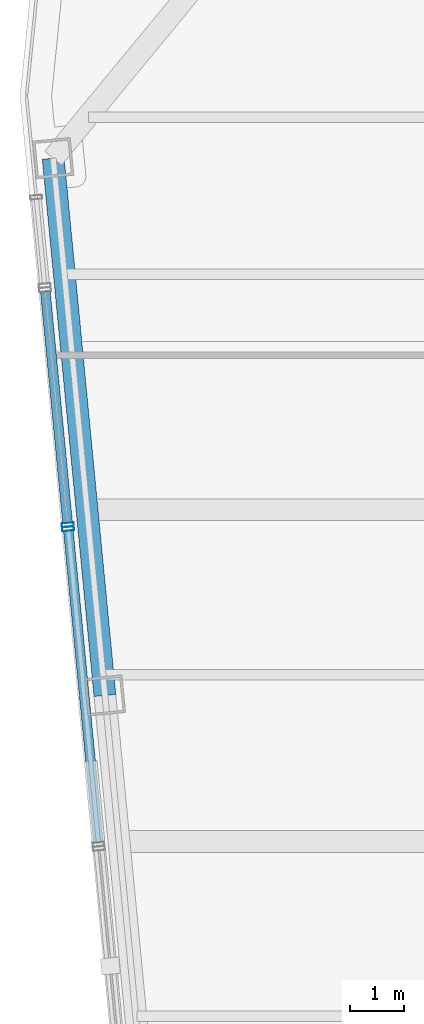
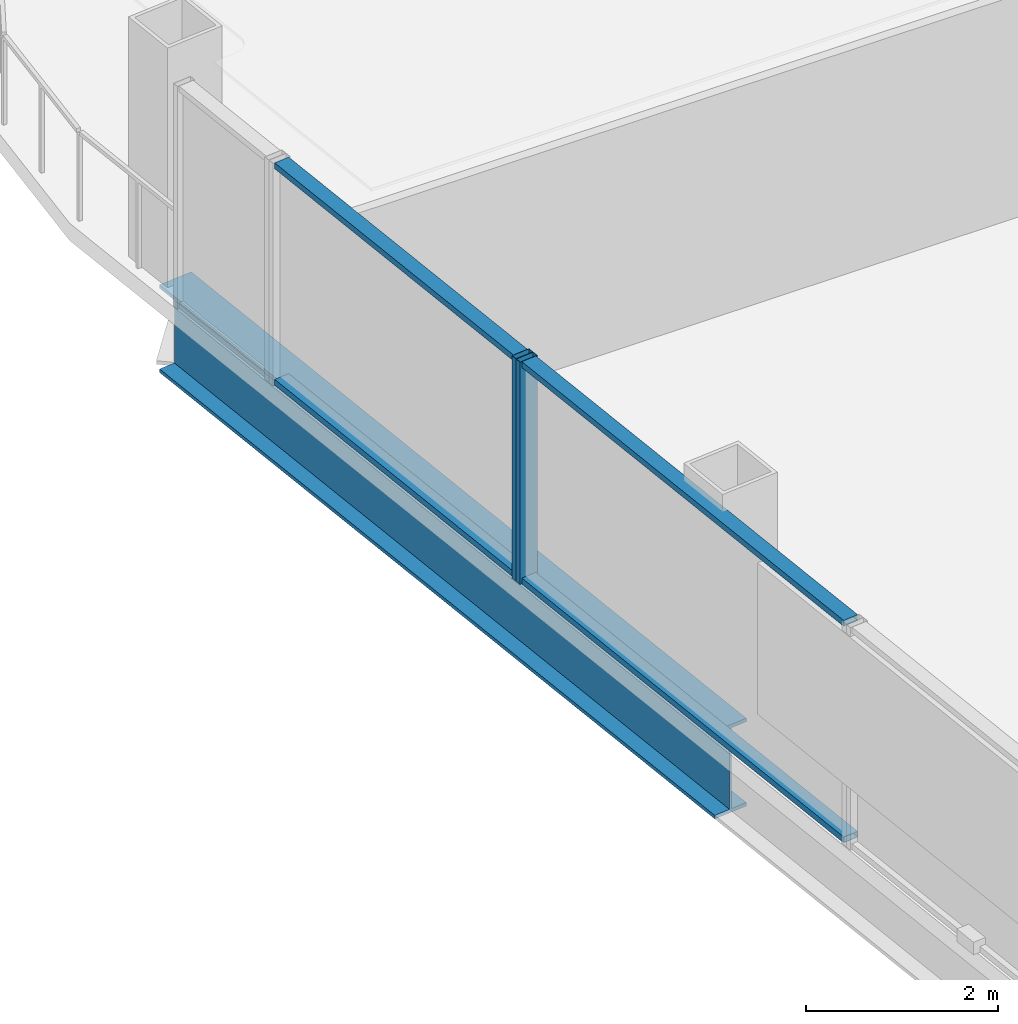
# One storey, part 11 of 28: 6 members, 1 beam, 2 elements without a shape of their own.
"""IFC4 building model written with IfcOpenShell, lengths in metres."""

from ifc_helpers import new_model, si_unit, direction, frame, origin, origin_2d, place, context, subcontext, project, spatial, hollow_rectangle, i_section, extrude, material, layer, layer_set, material_profile, profile_set, type_object, element, aggregate, save


model = new_model("IFC4")

# Units and contexts
model_context = context("Model", 3, precision=1e-05, world=origin(), true_north=direction((0.0, 1.0)))
body_context = subcontext(model_context, "Body", "Model", "MODEL_VIEW")
ifc_project = project(units=[si_unit("LENGTHUNIT", "METRE"), si_unit("AREAUNIT", "SQUARE_METRE"), si_unit("VOLUMEUNIT", "CUBIC_METRE"), si_unit("PLANEANGLEUNIT", "RADIAN"), si_unit("MASSUNIT", "GRAM", prefix="KILO")], contexts=[model_context])

# Site, building, storey
site_placement = place(None, origin())
site = spatial("IfcSite", under=ifc_project, at=site_placement, CompositionType="ELEMENT")
building_placement = place(site_placement, origin())
building = spatial("IfcBuilding", under=site, at=building_placement, Name="Qhalaya Broadcast Tower", CompositionType="ELEMENT")
storey_placement = place(building_placement, frame((0.0, 0.0, 159.199951171875)))
storey = spatial("IfcBuildingStorey", under=building, at=storey_placement, Name="L46", CompositionType="ELEMENT", Elevation=159.199951171875)

# Beam
ifc_material_1 = material(Name="Structural Steel ASTM A992 Grade 50", Category="steel")
ifc_material_profile_1 = material_profile(ifc_material_1, i_section(OverallWidth=0.404052734375, OverallDepth=1.117919921875, WebThickness=0.026123046875, FlangeThickness=0.044921875, at=origin_2d()), Name="W44X335")
ifc_profile_set_1 = profile_set([ifc_material_profile_1], Name="Structural Steel ASTM A992 Grade 50")
beam_type = type_object("IfcBeamType", Name="Podium Long-Span Primary Girder PG1", PredefinedType="USERDEFINED", material=ifc_profile_set_1)
beam_placement = place(storey_placement, frame((-25.52783203125, 16.44189453125, -0.779052734375), z_axis=(0.095852900965, -0.995395510024, 0.0), x_axis=(0.995395510024, 0.095852900965, 0.0)))
element("IfcBeam", 1, at=beam_placement, inside=storey, type_object=beam_type, Name="L46 PG1 L46-SPR-13", ObjectType="GIRDER", PredefinedType="USERDEFINED", context=body_context, shape_type="SweptSolid", body=[
    extrude(i_section(OverallWidth=0.404052734375, OverallDepth=1.117919921875, WebThickness=0.026123046875, FlangeThickness=0.044921875, at=origin_2d()), origin(), (0.0, 0.0, 1.0), 9.966552734375),
])

# Curtain wall, member
ifc_material_2 = material(Name="Solar-Control Low-E Triple Glazing", Category="glass")
ifc_layer_1 = layer(ifc_material_2, 0.219970703125, Name="Solar-Control Low-E Triple Glazing")
ifc_layer_set_1 = layer_set([ifc_layer_1], Name="Solar-Control Low-E Triple Glazing")
curtain_wall_type_1 = type_object("IfcCurtainWallType", Name="Even-Block 4-Storey Double-Module Curtain Wall CW-03", PredefinedType="NOTDEFINED", material=ifc_layer_set_1)
curtain_wall_1_placement = place(storey_placement, origin())
curtain_wall_1 = element("IfcCurtainWall", 2, at=curtain_wall_1_placement, inside=storey, type_object=curtain_wall_type_1, Name="L46 Unitised Curtain Wall L46-CW-W2", PredefinedType="NOTDEFINED")
ifc_material_3 = material(Name="Anodised Aluminium 6063-T6", Category="aluminium")
ifc_material_profile_2 = material_profile(ifc_material_3, hollow_rectangle(XDim=0.074951171875, YDim=0.219970703125, WallThickness=0.00390625, at=origin_2d()), Name="ALU-MUL 75x220x4")
ifc_profile_set_2 = profile_set([ifc_material_profile_2], Name="Anodised Aluminium 6063-T6")
member_type_1 = type_object("IfcMemberType", Name="Unitised Curtain-Wall Mullion M01", PredefinedType="MULLION", material=ifc_profile_set_2)
member_1_placement = place(storey_placement, frame((-25.2578125, 9.672119140625, 0.0), z_axis=(0.0, 0.0, 1.0), x_axis=(0.095830074124, -0.9953977079, 0.0)))
member_1 = element("IfcMember", 3, at=member_1_placement, type_object=member_type_1, Name="CW-03 mullion 2", PredefinedType="MULLION", context=body_context, shape_type="SweptSolid", body=[
    extrude(hollow_rectangle(XDim=0.074951171875, YDim=0.219970703125, WallThickness=0.00390625, at=origin_2d()), origin(), (0.0, 0.0, 1.0), 2.830078125),
])

ifc_material_4 = material(Name="Fired Architectural Terracotta", Category="masonry")
ifc_layer_2 = layer(ifc_material_4, 0.219970703125, Name="Fired Architectural Terracotta")
ifc_layer_set_2 = layer_set([ifc_layer_2], Name="Fired Architectural Terracotta")
curtain_wall_type_2 = type_object("IfcCurtainWallType", Name="Block-Cap Unitised Terracotta Spandrel Wall CW-07", PredefinedType="NOTDEFINED", material=ifc_layer_set_2)
curtain_wall_2_placement = place(storey_placement, origin())
curtain_wall_2 = element("IfcCurtainWall", 4, at=curtain_wall_2_placement, inside=storey, type_object=curtain_wall_type_2, Name="L46 Unitised Curtain Wall L46-CW-W3", PredefinedType="NOTDEFINED")
member_2_placement = place(storey_placement, frame((-25.25048828125, 9.597412109375, 0.0), z_axis=(0.0, 0.0, 1.0), x_axis=(0.095850920361, -0.995395700747, 0.0)))
member_2 = element("IfcMember", 5, at=member_2_placement, type_object=member_type_1, Name="CW-07 mullion 1", PredefinedType="MULLION", context=body_context, shape_type="SweptSolid", body=[
    extrude(hollow_rectangle(XDim=0.074951171875, YDim=0.219970703125, WallThickness=0.00390625, at=origin_2d()), origin(), (0.0, 0.0, 1.0), 2.830078125),
])

# Member
ifc_material_profile_3 = material_profile(ifc_material_3, hollow_rectangle(XDim=0.074951171875, YDim=0.179931640625, WallThickness=0.00390625, at=origin_2d()), Name="ALU-TRN 75x180x4")
ifc_profile_set_3 = profile_set([ifc_material_profile_3], Name="Anodised Aluminium 6063-T6")
member_type_2 = type_object("IfcMemberType", Name="Unitised Curtain-Wall Transom T01", PredefinedType="USERDEFINED", material=ifc_profile_set_3)
member_3_placement = place(storey_placement, frame((-25.672119140625, 13.976806640625, 0.03759765625), z_axis=(0.095787280324, -0.995401826866, 0.0), x_axis=(0.0, 0.0, 1.0)))
member_3 = element("IfcMember", 6, at=member_3_placement, type_object=member_type_2, Name="CW-03 transom 1.1", ObjectType="TRANSOM", PredefinedType="USERDEFINED", context=body_context, shape_type="SweptSolid", body=[
    extrude(hollow_rectangle(XDim=0.074951171875, YDim=0.179931640625, WallThickness=0.00390625, at=origin_2d()), origin(), (0.0, 0.0, 1.0), 4.287109375),
])

member_4_placement = place(storey_placement, frame((-25.672119140625, 13.976806640625, 2.79248046875), z_axis=(0.095787280324, -0.995401826866, 0.0), x_axis=(0.0, 0.0, 1.0)))
member_4 = element("IfcMember", 7, at=member_4_placement, type_object=member_type_2, Name="CW-03 transom 1.2", ObjectType="TRANSOM", PredefinedType="USERDEFINED", context=body_context, shape_type="SweptSolid", body=[
    extrude(hollow_rectangle(XDim=0.074951171875, YDim=0.179931640625, WallThickness=0.00390625, at=origin_2d()), origin(), (0.0, 0.0, 1.0), 4.287109375),
])

aggregate(curtain_wall_1, [member_1, member_3, member_4])

member_5_placement = place(storey_placement, frame((-25.2470703125, 9.56005859375, 0.03759765625), z_axis=(0.095859722495, -0.995394853113, 0.0), x_axis=(0.0, 0.0, 1.0)))
member_5 = element("IfcMember", 8, at=member_5_placement, type_object=member_type_2, Name="CW-07 transom 1.1", ObjectType="TRANSOM", PredefinedType="USERDEFINED", context=body_context, shape_type="SweptSolid", body=[
    extrude(hollow_rectangle(XDim=0.074951171875, YDim=0.179931640625, WallThickness=0.00390625, at=origin_2d()), origin(), (0.0, 0.0, 1.0), 5.77880859375),
])

member_6_placement = place(storey_placement, frame((-25.2470703125, 9.56005859375, 2.79248046875), z_axis=(0.095859722495, -0.995394853113, 0.0), x_axis=(0.0, 0.0, 1.0)))
member_6 = element("IfcMember", 9, at=member_6_placement, type_object=member_type_2, Name="CW-07 transom 1.2", ObjectType="TRANSOM", PredefinedType="USERDEFINED", context=body_context, shape_type="SweptSolid", body=[
    extrude(hollow_rectangle(XDim=0.074951171875, YDim=0.179931640625, WallThickness=0.00390625, at=origin_2d()), origin(), (0.0, 0.0, 1.0), 5.77880859375),
])

aggregate(curtain_wall_2, [member_2, member_5, member_6])

save(model, "model.ifc")
